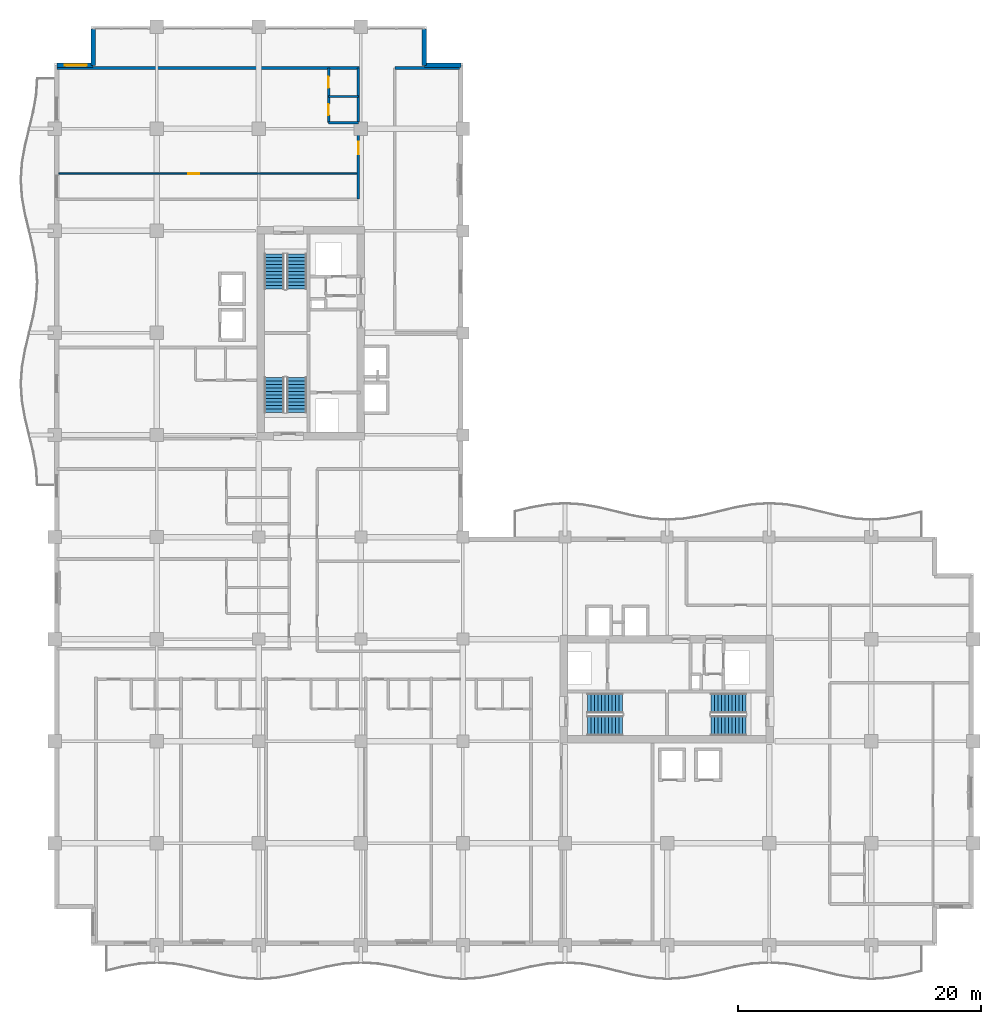
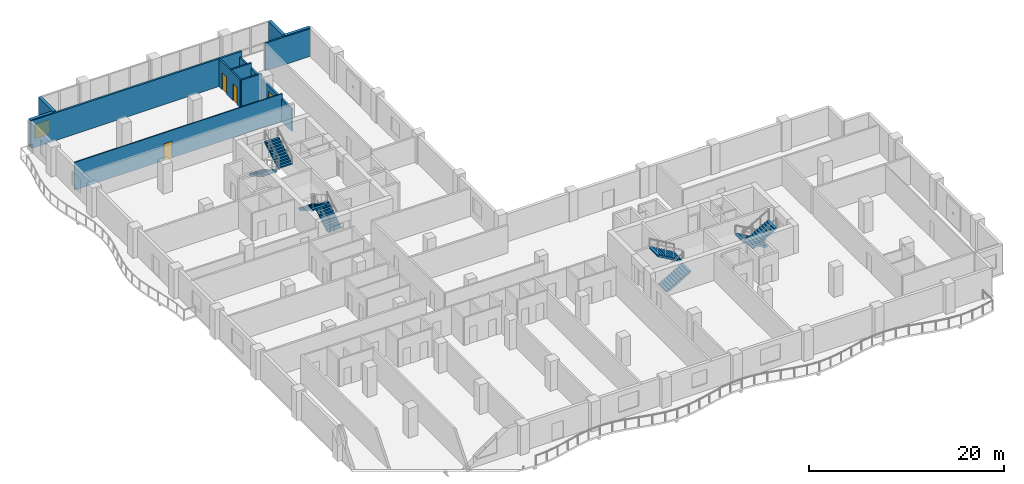
# One storey, part 13 of 19: 11 walls, 8 stair flights, 4 doors, 1 window, 5 openings, 4 elements without a shape of their own.
"""IFC4 building model written with IfcOpenShell, lengths in metres."""

import ifcopenshell
import ifcopenshell.guid

model = None  # the IFC model being written
_history = None  # IfcOwnerHistory: only IFC2X3 demands one
_inside = {}  # id of a spatial element -> (the spatial element, [elements in it])
_under = {}  # id of a project, library or spatial element -> (it, [spatial elements below it])
_declared = {}  # id of a project -> (the project, [libraries it declares])
_typed = {}  # id of a type object -> (the type object, [elements of that type])
_made_of = {}  # id of a material, layer set ... -> (it, [elements and type objects made of it])


def new_model(schema):
    """Start an empty IFC model of exactly this schema.

    Asked for "IFC4X3", IfcOpenShell would pick the latest addendum, in which some entities
    have other attributes; the version numbers below select the first issue.
    IFC2X3 requires an IfcOwnerHistory on every rooted entity: one is made here for all.
    """
    global model, _history
    if schema == "IFC4X3":
        model = ifcopenshell.file(schema_version=(4, 3, 0, 0))
    else:
        model = ifcopenshell.file(schema=schema)
    _inside.clear()
    _under.clear()
    _declared.clear()
    _typed.clear()
    _made_of.clear()
    _history = None
    if model.schema == "IFC2X3":
        org = make("IfcOrganization", Name="unknown")
        user = make(
            "IfcPersonAndOrganization",
            ThePerson=make("IfcPerson", FamilyName="unknown"),
            TheOrganization=org,
        )
        app = make(
            "IfcApplication",
            ApplicationDeveloper=org,
            Version="unknown",
            ApplicationFullName="unknown",
            ApplicationIdentifier="unknown",
        )
        _history = make(
            "IfcOwnerHistory",
            OwningUser=user,
            OwningApplication=app,
            ChangeAction="ADDED",
            CreationDate=0,
        )
    return model


def make(cls, **values):
    """One entity of the class cls with the attributes given. An attribute that is None is left unset."""
    return model.create_entity(
        cls, **{name: value for name, value in values.items() if value is not None}
    )


def rooted(cls, **values):
    """An entity with a GlobalId (a new one), such as an element, a storey or a relation."""
    return make(cls, GlobalId=ifcopenshell.guid.new(), OwnerHistory=_history, **values)


def si_unit(unit_type, name, prefix=None):
    """IfcSIUnit, for example si_unit("LENGTHUNIT", "METRE", prefix="MILLI")."""
    return make("IfcSIUnit", UnitType=unit_type, Prefix=prefix, Name=name)


def assignment(units):
    """IfcUnitAssignment: the units of a project."""
    return None if units is None else make("IfcUnitAssignment", Units=units)


def point(xyz):
    """IfcCartesianPoint."""
    return None if xyz is None else make("IfcCartesianPoint", Coordinates=xyz)


def direction(xyz):
    """IfcDirection."""
    return None if xyz is None else make("IfcDirection", DirectionRatios=xyz)


def frame(location, z_axis=None, x_axis=None):
    """IfcAxis2Placement3D, a coordinate frame: its origin and axes. An axis left out is left unset."""
    return make(
        "IfcAxis2Placement3D",
        Location=point(location),
        Axis=direction(z_axis),
        RefDirection=direction(x_axis),
    )


def frame_2d(location, x_axis=None):
    """IfcAxis2Placement2D, a coordinate frame in the plane: its origin and x axis."""
    return make(
        "IfcAxis2Placement2D", Location=point(location), RefDirection=direction(x_axis)
    )


def origin():
    """The frame at (0, 0, 0) with its axes left unset."""
    return frame((0.0, 0.0, 0.0))


def place(relative_to, where):
    """IfcLocalPlacement: puts the frame where relative to a parent placement (None: the world)."""
    return make(
        "IfcLocalPlacement", PlacementRelTo=relative_to, RelativePlacement=where
    )


def context(
    kind, dimensions, precision=None, world=None, true_north=None, identifier=None
):
    """IfcGeometricRepresentationContext, for example the 3D "Model" context."""
    return make(
        "IfcGeometricRepresentationContext",
        ContextIdentifier=identifier,
        ContextType=kind,
        CoordinateSpaceDimension=dimensions,
        Precision=precision,
        WorldCoordinateSystem=world,
        TrueNorth=true_north,
    )


def subcontext(parent, identifier, kind, view, scale=None):
    """IfcGeometricRepresentationSubContext, for example "Body" below "Model"."""
    return make(
        "IfcGeometricRepresentationSubContext",
        ContextIdentifier=identifier,
        ContextType=kind,
        ParentContext=parent,
        TargetScale=scale,
        TargetView=view,
    )


def project(units=None, contexts=None):
    """IfcProject with its units and contexts."""
    return rooted(
        "IfcProject",
        Name="project",
        RepresentationContexts=contexts,
        UnitsInContext=assignment(units),
    )


def spatial(cls, under=None, at=None, **own):
    """A site, building, storey or space (cls), placed at a placement, below another one or the project."""
    s = rooted(cls, ObjectPlacement=at, **own)
    if under is not None:
        _under.setdefault(under.id(), (under, []))[1].append(s)
    return s


def polyline(points):
    """IfcPolyline through the points."""
    return make("IfcPolyline", Points=[point(p) for p in points])


def profile(cls, at=None, kind="AREA", **sizes):
    """A parametric profile (cls). Its sizes go by their IFC names, for example OverallWidth=200.0."""
    return make(cls, ProfileType=kind, Position=at, **sizes)


def rectangle(**sizes):
    """IfcRectangleProfileDef."""
    return profile("IfcRectangleProfileDef", **sizes)


def outline(outer, holes=None, kind="AREA"):
    """IfcArbitraryClosedProfileDef: a profile drawn as a closed curve; with holes, ...WithVoids."""
    if holes is None:
        return make("IfcArbitraryClosedProfileDef", ProfileType=kind, OuterCurve=outer)
    return make(
        "IfcArbitraryProfileDefWithVoids",
        ProfileType=kind,
        OuterCurve=outer,
        InnerCurves=holes,
    )


def extrude(swept, where, along, depth):
    """IfcExtrudedAreaSolid: the profile swept, set in the frame where, extruded along a direction by depth."""
    return make(
        "IfcExtrudedAreaSolid",
        SweptArea=swept,
        Position=where,
        ExtrudedDirection=direction(along),
        Depth=depth,
    )


def shape(context_of_items, identifier, shape_type, items):
    """IfcShapeRepresentation: the items that make up one representation, for example the "Body"."""
    return make(
        "IfcShapeRepresentation",
        ContextOfItems=context_of_items,
        RepresentationIdentifier=identifier,
        RepresentationType=shape_type,
        Items=items,
    )


def material(Name=None, Category=None):
    """IfcMaterial."""
    return make("IfcMaterial", Name=Name, Category=Category)


def layer(
    of_material, thickness, ventilated=None, Name=None, Category=None, Priority=None
):
    """IfcMaterialLayer: one layer of a wall or slab, of a material (None: an air gap)."""
    return make(
        "IfcMaterialLayer",
        Material=of_material,
        LayerThickness=thickness,
        IsVentilated=ventilated,
        Name=Name,
        Category=Category,
        Priority=Priority,
    )


def layer_set(layers, Name=None):
    """IfcMaterialLayerSet."""
    return make("IfcMaterialLayerSet", MaterialLayers=layers, LayerSetName=Name)


def made_of(thing, what):
    """Note that an element or type object is made of a material, layer set ...; save() writes the relation."""
    if what is not None:
        _made_of.setdefault(what.id(), (what, []))[1].append(thing)
    return thing


def type_object(cls, material=None, **own):
    """A type object (cls), such as IfcWallType, which elements share."""
    return made_of(rooted(cls, **own), material)


def element(
    cls,
    number,
    at=None,
    inside=None,
    cuts=None,
    type_object=None,
    material=None,
    context=None,
    identifier="Body",
    shape_type=None,
    held_by="IfcProductDefinitionShape",
    body=None,
    shapes=None,
    **own,
):
    """One element of the class cls, such as IfcWall. Its Tag is "e" and its number.

    at: its placement. inside: the storey or other place that contains it. cuts: it is an
    opening in that element (IfcRelVoidsElement). A single representation is given by context,
    identifier, shape_type and body (its items); several are given by shapes. held_by: the class
    of the entity that holds the representations. save() writes the other relations.
    """
    e = rooted(cls, Tag="e%d" % number, ObjectPlacement=at, **own)
    if body is not None:
        shapes = [shape(context, identifier, shape_type, body)]
    if shapes is not None:
        e.Representation = make(held_by, Representations=shapes)
    if inside is not None:
        _inside.setdefault(inside.id(), (inside, []))[1].append(e)
    if cuts is not None:
        rooted(
            "IfcRelVoidsElement", RelatingBuildingElement=cuts, RelatedOpeningElement=e
        )
    if type_object is not None:
        _typed.setdefault(type_object.id(), (type_object, []))[1].append(e)
    return made_of(e, material)


def fill(opening, filler):
    """IfcRelFillsElement: the door or window that sits in an opening."""
    return rooted(
        "IfcRelFillsElement",
        RelatingOpeningElement=opening,
        RelatedBuildingElement=filler,
    )


def aggregate(whole, parts):
    """IfcRelAggregates: a whole, such as a stair, and the parts it consists of."""
    return rooted("IfcRelAggregates", RelatingObject=whole, RelatedObjects=parts)


def save(model, path):
    """Write the relations noted so far, then the file.

    IfcRelAggregates (storeys below a building ...), IfcRelContainedInSpatialStructure (elements
    in a storey), IfcRelDefinesByType, IfcRelAssociatesMaterial and IfcRelDeclares: one each for
    every whole, place, type object, material and project.
    """
    for whole, parts in _under.values():
        aggregate(whole, parts)
    for where, things in _inside.values():
        rooted(
            "IfcRelContainedInSpatialStructure",
            RelatedElements=things,
            RelatingStructure=where,
        )
    for kind, things in _typed.values():
        rooted("IfcRelDefinesByType", RelatedObjects=things, RelatingType=kind)
    for what, things in _made_of.values():
        rooted("IfcRelAssociatesMaterial", RelatedObjects=things, RelatingMaterial=what)
    for by, libraries in _declared.values():
        rooted("IfcRelDeclares", RelatingContext=by, RelatedDefinitions=libraries)
    model.write(path)


model = new_model("IFC4")

# Units and contexts
model_context = context("Model", 3, precision=1e-05, world=origin(), true_north=direction((0.0, 1.0)))
body_context = subcontext(model_context, "Body", "Model", "MODEL_VIEW")
ifc_project = project(units=[si_unit("LENGTHUNIT", "METRE"), si_unit("AREAUNIT", "SQUARE_METRE"), si_unit("VOLUMEUNIT", "CUBIC_METRE"), si_unit("PLANEANGLEUNIT", "RADIAN"), si_unit("MASSUNIT", "GRAM", prefix="KILO")], contexts=[model_context])

# Site, building, storey
site_placement = place(None, origin())
site = spatial("IfcSite", under=ifc_project, at=site_placement, CompositionType="ELEMENT")
building_placement = place(site_placement, origin())
building = spatial("IfcBuilding", under=site, at=building_placement, Name="Koriwani Terraces Tower", CompositionType="ELEMENT")
storey_placement = place(building_placement, frame((0.0, 0.0, 190.199951171875)))
storey = spatial("IfcBuildingStorey", under=building, at=storey_placement, Name="L46", CompositionType="ELEMENT", Elevation=190.199951171875)

# Wall, opening, door
ifc_material_1 = material(Name="Autoclaved Cellular Concrete Blockwork", Category="masonry")
ifc_layer_1 = layer(ifc_material_1, 0.199951171875, Name="Autoclaved Cellular Concrete Blockwork")
ifc_layer_set_1 = layer_set([ifc_layer_1], Name="Autoclaved Cellular Concrete Blockwork")
wall_type_1 = type_object("IfcWallType", Name="WALL_CORRIDOR_200", PredefinedType="PARTITIONING", material=ifc_layer_set_1)
wall_1_placement = place(storey_placement, frame((25.0, 61.39990234375, 0.0), z_axis=(0.0, 0.0, 1.0), x_axis=(0.0, 1.0, 0.0)))
wall_1 = element("IfcWall", 1, at=wall_1_placement, inside=storey, type_object=wall_type_1, Name="L46 Interior Wall WRCOR-L46-NE-0", PredefinedType="PARTITIONING", context=body_context, shape_type="SweptSolid", body=[
    extrude(rectangle(XDim=10.800048828125, YDim=0.199951171875, at=frame_2d((5.39990234375, 0.0))), origin(), (0.0, 0.0, 1.0), 2.820068359375),
])
opening_1_placement = place(wall_1_placement, frame((3.719970703125, 0.0, 0.0)))
opening_1 = element("IfcOpeningElement", 2, at=opening_1_placement, cuts=wall_1, Name="Opening D-05", PredefinedType="OPENING", context=body_context, shape_type="SweptSolid", body=[
    extrude(rectangle(XDim=1.0, YDim=2.14990234375, at=frame_2d((0.5, 1.074951171875))), frame((0.0, 0.10986328125, 0.0), z_axis=(0.0, -1.0, 0.0), x_axis=(1.0, 0.0, 0.0)), (0.0, 0.0, 1.0), 0.219970703125),
])
ifc_material_2 = material(Name="Architectural Oak Fire Door", Category="wood")
door_type_1 = type_object("IfcDoorType", Name="DOOR_SUITE_ENTRY_1000X2150", OperationType="NOTDEFINED", PredefinedType="DOOR", material=ifc_material_2)
door_1_placement = place(opening_1_placement, origin())
door_1 = element("IfcDoor", 3, at=door_1_placement, inside=storey, type_object=door_type_1, Name="Apartment 46NE1 Entrance Door", OperationType="SINGLE_SWING_LEFT", OverallHeight=2.14990234375, OverallWidth=1.0, PredefinedType="DOOR", context=body_context, shape_type="SweptSolid", body=[
    extrude(rectangle(XDim=1.0, YDim=2.14990234375, at=frame_2d((0.5, 1.074951171875))), frame((0.0, 0.02490234375, 0.0), z_axis=(0.0, -1.0, 0.0), x_axis=(1.0, 0.0, 0.0)), (0.0, 0.0, 1.0), 0.050048828125),
])
fill(opening_1, door_1)

# Walls
ifc_layer_2 = layer(ifc_material_1, 0.219970703125, Name="Autoclaved Cellular Concrete Blockwork")
ifc_layer_set_2 = layer_set([ifc_layer_2], Name="Autoclaved Cellular Concrete Blockwork")
wall_type_2 = type_object("IfcWallType", Name="WALL_DEMISING_220", PredefinedType="PARTITIONING", material=ifc_layer_set_2)
wall_2_placement = place(storey_placement, frame((0.199951171875, 72.199951171875, 0.0), z_axis=(0.0, 0.0, 1.0), x_axis=(1.0, 0.0, 0.0)))
element("IfcWall", 4, at=wall_2_placement, inside=storey, type_object=wall_type_2, Name="L46 Interior Wall WRDEME-L46-NE", PredefinedType="PARTITIONING", context=body_context, shape_type="SweptSolid", body=[
    extrude(rectangle(XDim=24.97998046875, YDim=0.219970703125, at=frame_2d((12.489990234375, 0.0))), origin(), (0.0, 0.0, 1.0), 3.469970703125),
])
wall_3_placement = place(storey_placement, frame((28.0, 72.199951171875, 0.0), z_axis=(0.0, 0.0, 1.0), x_axis=(1.0, 0.0, 0.0)))
element("IfcWall", 5, at=wall_3_placement, inside=storey, type_object=wall_type_2, Name="L46 Interior Wall WNEC-N-L46", PredefinedType="PARTITIONING", context=body_context, shape_type="SweptSolid", body=[
    extrude(rectangle(XDim=5.300048828125, YDim=0.219970703125, at=frame_2d((2.64990234375, 0.0))), origin(), (0.0, 0.0, 1.0), 3.469970703125),
])

# Wall, opening, window
ifc_material_3 = material(Name="Concrete C50/60", Category="concrete")
ifc_layer_3 = layer(ifc_material_3, 0.35009765625, Name="Concrete C50/60")
ifc_layer_set_3 = layer_set([ifc_layer_3], Name="Concrete C50/60")
wall_type_3 = type_object("IfcWallType", Name="WALL_EXT_BRUTALIST_350", PredefinedType="STANDARD", material=ifc_layer_set_3)
wall_4_placement = place(storey_placement, frame((0.175048828125, 72.425048828125, 0.0), z_axis=(0.0, 0.0, 1.0), x_axis=(1.0, 0.0, 0.0)))
wall_4 = element("IfcWall", 6, at=wall_4_placement, inside=storey, type_object=wall_type_3, Name="L46 Fair-Faced Brutalist Exterior Wall (N3)", PredefinedType="STANDARD", context=body_context, shape_type="SweptSolid", body=[
    extrude(rectangle(XDim=3.0, YDim=0.35009765625, at=frame_2d((1.5, 0.0))), origin(), (0.0, 0.0, 1.0), 3.469970703125),
])
opening_2_placement = place(wall_4_placement, frame((0.677490234375, 0.0, 0.85009765625)))
opening_2 = element("IfcOpeningElement", 7, at=opening_2_placement, cuts=wall_4, Name="Opening W-04", PredefinedType="OPENING", context=body_context, shape_type="SweptSolid", body=[
    extrude(rectangle(XDim=1.800048828125, YDim=1.800048828125, at=frame_2d((0.89990234375, 0.89990234375))), frame((0.0, 0.18505859375, 0.0), z_axis=(0.0, -1.0, 0.0), x_axis=(1.0, 0.0, 0.0)), (0.0, 0.0, 1.0), 0.3701171875),
])
ifc_material_4 = material(Name="Tempered Laminated Low-E Glass", Category="glass")
window_type = type_object("IfcWindowType", Name="WIN_RES_BED_1800X1800", PartitioningType="DOUBLE_PANEL_VERTICAL", PredefinedType="WINDOW", material=ifc_material_4)
window_placement = place(opening_2_placement, origin())
window = element("IfcWindow", 8, at=window_placement, inside=storey, type_object=window_type, Name="L46 Exterior Window (N3-R57)", OverallHeight=1.800048828125, OverallWidth=1.800048828125, PartitioningType="SINGLE_PANEL", PredefinedType="WINDOW", context=body_context, shape_type="SweptSolid", body=[
    extrude(rectangle(XDim=1.800048828125, YDim=1.800048828125, at=frame_2d((0.89990234375, 0.89990234375))), frame((0.0, 0.030029296875, 0.0), z_axis=(0.0, -1.0, 0.0), x_axis=(1.0, 0.0, 0.0)), (0.0, 0.0, 1.0), 0.06005859375),
])
fill(opening_2, window)

# Walls
for number, where, z_axis, x_axis, name in (
    (9, (3.175048828125, 72.425048828125, 0.0), (0.0, 0.0, 1.0), (0.0, 1.0, 0.0), "L46 Fair-Faced Brutalist Exterior Wall (N4)"),
    (10, (30.425048828125, 75.425048828125, 0.0), (0.0, 0.0, 1.0), (0.0, -1.0, 0.0), "L46 Fair-Faced Brutalist Exterior Wall (N6)"),
    (11, (30.425048828125, 72.425048828125, 0.0), (0.0, 0.0, 1.0), (1.0, 0.0, 0.0), "L46 Fair-Faced Brutalist Exterior Wall (N7)"),
):
    element("IfcWall", number, at=place(storey_placement, frame(where, z_axis=z_axis, x_axis=x_axis)), inside=storey, type_object=wall_type_3, Name=name, PredefinedType="STANDARD", context=body_context, shape_type="SweptSolid", body=[
        extrude(rectangle(XDim=3.0, YDim=0.35009765625, at=frame_2d((1.5, 0.0))), origin(), (0.0, 0.0, 1.0), 3.469970703125),
    ])

# Wall, opening, door
ifc_material_5 = material(Name="Fire-Rated Acoustic Gypsum Partition", Category="masonry")
ifc_layer_4 = layer(ifc_material_5, 0.125, Name="Fire-Rated Acoustic Gypsum Partition")
ifc_layer_set_4 = layer_set([ifc_layer_4], Name="Fire-Rated Acoustic Gypsum Partition")
wall_type_4 = type_object("IfcWallType", Name="WALL_INT_125", PredefinedType="PARTITIONING", material=ifc_layer_set_4)
wall_5_placement = place(storey_placement, frame((0.35009765625, 63.5, 0.0), z_axis=(0.0, 0.0, 1.0), x_axis=(1.0, 0.0, 0.0)))
wall_5 = element("IfcWall", 12, at=wall_5_placement, inside=storey, type_object=wall_type_4, Name="L46 Interior Wall WRBED1-L46-NE-0", PredefinedType="PARTITIONING", context=body_context, shape_type="SweptSolid", body=[
    extrude(rectangle(XDim=24.64990234375, YDim=0.125, at=frame_2d((12.324951171875, 0.0))), origin(), (0.0, 0.0, 1.0), 3.469970703125),
])
opening_3_placement = place(wall_5_placement, frame((10.639892578125, 0.0, 0.0)))
opening_3 = element("IfcOpeningElement", 13, at=opening_3_placement, cuts=wall_5, Name="Opening D-06", PredefinedType="OPENING", context=body_context, shape_type="SweptSolid", body=[
    extrude(rectangle(XDim=0.919921875, YDim=2.10009765625, at=frame_2d((0.4599609375, 1.050048828125))), frame((0.0, 0.072509765625, 0.0), z_axis=(0.0, -1.0, 0.0), x_axis=(1.0, 0.0, 0.0)), (0.0, 0.0, 1.0), 0.14501953125),
])
door_type_2 = type_object("IfcDoorType", Name="DOOR_ROOM_INT_920X2100", OperationType="NOTDEFINED", PredefinedType="DOOR", material=ifc_material_2)
door_2_placement = place(opening_3_placement, origin())
door_2 = element("IfcDoor", 14, at=door_2_placement, inside=storey, type_object=door_type_2, Name="Apartment 46NE1 Master Bedroom Door", OperationType="SINGLE_SWING_RIGHT", OverallHeight=2.10009765625, OverallWidth=0.919921875, PredefinedType="DOOR", context=body_context, shape_type="SweptSolid", body=[
    extrude(rectangle(XDim=0.919921875, YDim=2.10009765625, at=frame_2d((0.4599609375, 1.050048828125))), frame((0.0, 0.02490234375, 0.0), z_axis=(0.0, -1.0, 0.0), x_axis=(1.0, 0.0, 0.0)), (0.0, 0.0, 1.0), 0.050048828125),
])
fill(opening_3, door_2)

# Wall, openings, doors
ifc_layer_5 = layer(ifc_material_5, 0.179931640625, Name="Fire-Rated Acoustic Gypsum Partition")
ifc_layer_set_5 = layer_set([ifc_layer_5], Name="Fire-Rated Acoustic Gypsum Partition")
wall_type_5 = type_object("IfcWallType", Name="WALL_PLUMBING_180", PredefinedType="PLUMBINGWALL", material=ifc_layer_set_5)
wall_6_placement = place(storey_placement, frame((22.550048828125, 67.699951171875, 0.0), z_axis=(0.0, 0.0, 1.0), x_axis=(0.0, 1.0, 0.0)))
wall_6 = element("IfcWall", 15, at=wall_6_placement, inside=storey, type_object=wall_type_5, Name="L46 Interior Wall WRSVC-L46-NE-0", PredefinedType="PLUMBINGWALL", context=body_context, shape_type="SweptSolid", body=[
    extrude(rectangle(XDim=4.5, YDim=0.179931640625, at=frame_2d((2.25, 0.0))), origin(), (0.0, 0.0, 1.0), 3.469970703125),
])
opening_4_placement = place(wall_6_placement, frame((0.6298828125, 0.0, 0.0)))
opening_4 = element("IfcOpeningElement", 16, at=opening_4_placement, cuts=wall_6, Name="Opening D-07", PredefinedType="OPENING", context=body_context, shape_type="SweptSolid", body=[
    extrude(rectangle(XDim=0.89990234375, YDim=2.10009765625, at=frame_2d((0.449951171875, 1.050048828125))), frame((0.0, 0.10009765625, 0.0), z_axis=(0.0, -1.0, 0.0), x_axis=(1.0, 0.0, 0.0)), (0.0, 0.0, 1.0), 0.199951171875),
])
opening_5_placement = place(wall_6_placement, frame((2.8701171875, 0.0, 0.0)))
opening_5 = element("IfcOpeningElement", 17, at=opening_5_placement, cuts=wall_6, Name="Opening D-06", PredefinedType="OPENING", context=body_context, shape_type="SweptSolid", body=[
    extrude(rectangle(XDim=0.919921875, YDim=2.10009765625, at=frame_2d((0.4599609375, 1.050048828125))), frame((0.0, 0.10009765625, 0.0), z_axis=(0.0, -1.0, 0.0), x_axis=(1.0, 0.0, 0.0)), (0.0, 0.0, 1.0), 0.199951171875),
])
door_type_3 = type_object("IfcDoorType", Name="DOOR_BATH_INT_900X2100", OperationType="NOTDEFINED", PredefinedType="DOOR", material=ifc_material_2)
door_3_placement = place(opening_4_placement, origin())
door_3 = element("IfcDoor", 18, at=door_3_placement, inside=storey, type_object=door_type_3, Name="Apartment 46NE1 Bathroom Door", OperationType="SINGLE_SWING_RIGHT", OverallHeight=2.10009765625, OverallWidth=0.89990234375, PredefinedType="DOOR", context=body_context, shape_type="SweptSolid", body=[
    extrude(rectangle(XDim=0.89990234375, YDim=2.10009765625, at=frame_2d((0.449951171875, 1.050048828125))), frame((0.0, 0.02490234375, 0.0), z_axis=(0.0, -1.0, 0.0), x_axis=(1.0, 0.0, 0.0)), (0.0, 0.0, 1.0), 0.050048828125),
])
fill(opening_4, door_3)
door_4_placement = place(opening_5_placement, origin())
door_4 = element("IfcDoor", 19, at=door_4_placement, inside=storey, type_object=door_type_2, Name="Apartment 46NE1 Kitchen Door", OperationType="SINGLE_SWING_LEFT", OverallHeight=2.10009765625, OverallWidth=0.919921875, PredefinedType="DOOR", context=body_context, shape_type="SweptSolid", body=[
    extrude(rectangle(XDim=0.919921875, YDim=2.10009765625, at=frame_2d((0.4599609375, 1.050048828125))), frame((0.0, 0.02490234375, 0.0), z_axis=(0.0, -1.0, 0.0), x_axis=(1.0, 0.0, 0.0)), (0.0, 0.0, 1.0), 0.050048828125),
])
fill(opening_5, door_4)

# Walls
for number, where, z_axis, x_axis, name in (
    (20, (22.550048828125, 67.699951171875, 0.0), (0.0, 0.0, 1.0), (1.0, 0.0, 0.0), "L46 Interior Wall WRSVCS-L46-NE-0"),
    (21, (22.550048828125, 69.860107421875, 0.0), (0.0, 0.0, 1.0), (1.0, 0.0, 0.0), "L46 Interior Wall WRSVCM-L46-NE-0"),
):
    element("IfcWall", number, at=place(storey_placement, frame(where, z_axis=z_axis, x_axis=x_axis)), inside=storey, type_object=wall_type_5, Name=name, PredefinedType="PLUMBINGWALL", context=body_context, shape_type="SweptSolid", body=[
        extrude(rectangle(XDim=2.449951171875, YDim=0.179931640625, at=frame_2d((1.22509765625, 0.0))), origin(), (0.0, 0.0, 1.0), 3.469970703125),
    ])

# Stair, stair flights
ifc_material_6 = material(Name="Concrete C40/50", Category="concrete")
stair_type = type_object("IfcStairType", Name="STAIR_CORE_DOGLEG_1650", PredefinedType="TWO_STRAIGHT_RUN_STAIR", material=ifc_material_6)
stair_1_placement = place(storey_placement, origin())
stair_1 = element("IfcStair", 22, at=stair_1_placement, inside=storey, type_object=stair_type, Name="L46 West Core Exit Stair 1", PredefinedType="HALF_TURN_STAIR")
stair_flight_type = type_object("IfcStairFlightType", Name="STAIR_FLIGHT_RC_1650", PredefinedType="STRAIGHT", material=ifc_material_6)
stair_flight_1_placement = place(storey_placement, frame((19.925048828125, 43.85009765625, 0.0), z_axis=(0.0, 0.0, 1.0), x_axis=(0.0, 1.0, 0.0)))
stair_flight_1 = element("IfcStairFlight", 23, at=stair_flight_1_placement, type_object=stair_flight_type, Name="ST-W1 flight 1", NumberOfRisers=11, NumberOfTreads=10, PredefinedType="STRAIGHT", RiserHeight=0.168181818, TreadLength=0.29, context=body_context, shape_type="SweptSolid", body=[
    extrude(outline(polyline([(0.0, 0.0), (0.0, 0.168212890625), (0.2900390625, 0.168212890625), (0.2900390625, 0.33642578125), (0.580078125, 0.33642578125), (0.580078125, 0.504638671875), (0.8701171875, 0.504638671875), (0.8701171875, 0.672607421875), (1.159912109375, 0.672607421875), (1.159912109375, 0.8408203125), (1.449951171875, 0.8408203125), (1.449951171875, 1.009033203125), (1.739990234375, 1.009033203125), (1.739990234375, 1.17724609375), (2.030029296875, 1.17724609375), (2.030029296875, 1.345458984375), (2.320068359375, 1.345458984375), (2.320068359375, 1.513671875), (2.610107421875, 1.513671875), (2.610107421875, 1.681884765625), (2.89990234375, 1.681884765625), (2.89990234375, 1.85009765625), (2.89990234375, 1.473876953125), (0.358642578125, 0.0), (0.0, 0.0)])), frame((0.0, 0.824951171875, 0.0), z_axis=(0.0, -1.0, 0.0), x_axis=(1.0, 0.0, 0.0)), (0.0, 0.0, 1.0), 1.64990234375),
])
stair_flight_2_placement = place(storey_placement, frame((18.074951171875, 46.75, 1.85009765625), z_axis=(0.0, 0.0, 1.0), x_axis=(0.0, -1.0, 0.0)))
stair_flight_2 = element("IfcStairFlight", 24, at=stair_flight_2_placement, type_object=stair_flight_type, Name="ST-W1 flight 2", NumberOfRisers=11, NumberOfTreads=10, PredefinedType="STRAIGHT", RiserHeight=0.168181818, TreadLength=0.29, context=body_context, shape_type="SweptSolid", body=[
    extrude(outline(polyline([(0.0, 0.0), (0.0, 0.168212890625), (0.2900390625, 0.168212890625), (0.2900390625, 0.33642578125), (0.580078125, 0.33642578125), (0.580078125, 0.504638671875), (0.8701171875, 0.504638671875), (0.8701171875, 0.672607421875), (1.159912109375, 0.672607421875), (1.159912109375, 0.8408203125), (1.449951171875, 0.8408203125), (1.449951171875, 1.009033203125), (1.739990234375, 1.009033203125), (1.739990234375, 1.17724609375), (2.030029296875, 1.17724609375), (2.030029296875, 1.345458984375), (2.320068359375, 1.345458984375), (2.320068359375, 1.513671875), (2.610107421875, 1.513671875), (2.610107421875, 1.681884765625), (2.89990234375, 1.681884765625), (2.89990234375, 1.85009765625), (2.89990234375, 1.473876953125), (0.358642578125, 0.0), (0.0, 0.0)])), frame((0.0, 0.824951171875, 0.0), z_axis=(0.0, -1.0, 0.0), x_axis=(1.0, 0.0, 0.0)), (0.0, 0.0, 1.0), 1.64990234375),
])
aggregate(stair_1, [stair_flight_1, stair_flight_2])

stair_2_placement = place(storey_placement, origin())
stair_2 = element("IfcStair", 25, at=stair_2_placement, inside=storey, type_object=stair_type, Name="L46 West Core Exit Stair 2", PredefinedType="HALF_TURN_STAIR")
stair_flight_3_placement = place(storey_placement, frame((18.074951171875, 56.89990234375, 0.0), z_axis=(0.0, 0.0, 1.0), x_axis=(0.0, -1.0, 0.0)))
stair_flight_3 = element("IfcStairFlight", 26, at=stair_flight_3_placement, type_object=stair_flight_type, Name="ST-W2 flight 1", NumberOfRisers=11, NumberOfTreads=10, PredefinedType="STRAIGHT", RiserHeight=0.168181818, TreadLength=0.29, context=body_context, shape_type="SweptSolid", body=[
    extrude(outline(polyline([(0.0, 0.0), (0.0, 0.168212890625), (0.2900390625, 0.168212890625), (0.2900390625, 0.33642578125), (0.580078125, 0.33642578125), (0.580078125, 0.504638671875), (0.8701171875, 0.504638671875), (0.8701171875, 0.672607421875), (1.159912109375, 0.672607421875), (1.159912109375, 0.8408203125), (1.449951171875, 0.8408203125), (1.449951171875, 1.009033203125), (1.739990234375, 1.009033203125), (1.739990234375, 1.17724609375), (2.030029296875, 1.17724609375), (2.030029296875, 1.345458984375), (2.320068359375, 1.345458984375), (2.320068359375, 1.513671875), (2.610107421875, 1.513671875), (2.610107421875, 1.681884765625), (2.89990234375, 1.681884765625), (2.89990234375, 1.85009765625), (2.89990234375, 1.473876953125), (0.358642578125, 0.0), (0.0, 0.0)])), frame((0.0, 0.824951171875, 0.0), z_axis=(0.0, -1.0, 0.0), x_axis=(1.0, 0.0, 0.0)), (0.0, 0.0, 1.0), 1.64990234375),
])
stair_flight_4_placement = place(storey_placement, frame((19.925048828125, 54.0, 1.85009765625), z_axis=(0.0, 0.0, 1.0), x_axis=(0.0, 1.0, 0.0)))
stair_flight_4 = element("IfcStairFlight", 27, at=stair_flight_4_placement, type_object=stair_flight_type, Name="ST-W2 flight 2", NumberOfRisers=11, NumberOfTreads=10, PredefinedType="STRAIGHT", RiserHeight=0.168181818, TreadLength=0.29, context=body_context, shape_type="SweptSolid", body=[
    extrude(outline(polyline([(0.0, 0.0), (0.0, 0.168212890625), (0.2900390625, 0.168212890625), (0.2900390625, 0.33642578125), (0.580078125, 0.33642578125), (0.580078125, 0.504638671875), (0.8701171875, 0.504638671875), (0.8701171875, 0.672607421875), (1.159912109375, 0.672607421875), (1.159912109375, 0.8408203125), (1.449951171875, 0.8408203125), (1.449951171875, 1.009033203125), (1.739990234375, 1.009033203125), (1.739990234375, 1.17724609375), (2.030029296875, 1.17724609375), (2.030029296875, 1.345458984375), (2.320068359375, 1.345458984375), (2.320068359375, 1.513671875), (2.610107421875, 1.513671875), (2.610107421875, 1.681884765625), (2.89990234375, 1.681884765625), (2.89990234375, 1.85009765625), (2.89990234375, 1.473876953125), (0.358642578125, 0.0), (0.0, 0.0)])), frame((0.0, 0.824951171875, 0.0), z_axis=(0.0, -1.0, 0.0), x_axis=(1.0, 0.0, 0.0)), (0.0, 0.0, 1.0), 1.64990234375),
])
aggregate(stair_2, [stair_flight_3, stair_flight_4])

stair_3_placement = place(storey_placement, origin())
stair_3 = element("IfcStair", 28, at=stair_3_placement, inside=storey, type_object=stair_type, Name="L46 East Core Exit Stair 1", PredefinedType="HALF_TURN_STAIR")
stair_flight_5_placement = place(storey_placement, frame((43.85009765625, 18.074951171875, 0.0), z_axis=(0.0, 0.0, 1.0), x_axis=(1.0, 0.0, 0.0)))
stair_flight_5 = element("IfcStairFlight", 29, at=stair_flight_5_placement, type_object=stair_flight_type, Name="ST-E1 flight 1", NumberOfRisers=11, NumberOfTreads=10, PredefinedType="STRAIGHT", RiserHeight=0.168181818, TreadLength=0.29, context=body_context, shape_type="SweptSolid", body=[
    extrude(outline(polyline([(0.0, 0.0), (0.0, 0.168212890625), (0.2900390625, 0.168212890625), (0.2900390625, 0.33642578125), (0.580078125, 0.33642578125), (0.580078125, 0.504638671875), (0.8701171875, 0.504638671875), (0.8701171875, 0.672607421875), (1.159912109375, 0.672607421875), (1.159912109375, 0.8408203125), (1.449951171875, 0.8408203125), (1.449951171875, 1.009033203125), (1.739990234375, 1.009033203125), (1.739990234375, 1.17724609375), (2.030029296875, 1.17724609375), (2.030029296875, 1.345458984375), (2.320068359375, 1.345458984375), (2.320068359375, 1.513671875), (2.610107421875, 1.513671875), (2.610107421875, 1.681884765625), (2.89990234375, 1.681884765625), (2.89990234375, 1.85009765625), (2.89990234375, 1.473876953125), (0.358642578125, 0.0), (0.0, 0.0)])), frame((0.0, 0.824951171875, 0.0), z_axis=(0.0, -1.0, 0.0), x_axis=(1.0, 0.0, 0.0)), (0.0, 0.0, 1.0), 1.64990234375),
])
stair_flight_6_placement = place(storey_placement, frame((46.75, 19.925048828125, 1.85009765625), z_axis=(0.0, 0.0, 1.0), x_axis=(-1.0, 0.0, 0.0)))
stair_flight_6 = element("IfcStairFlight", 30, at=stair_flight_6_placement, type_object=stair_flight_type, Name="ST-E1 flight 2", NumberOfRisers=11, NumberOfTreads=10, PredefinedType="STRAIGHT", RiserHeight=0.168181818, TreadLength=0.29, context=body_context, shape_type="SweptSolid", body=[
    extrude(outline(polyline([(0.0, 0.0), (0.0, 0.168212890625), (0.2900390625, 0.168212890625), (0.2900390625, 0.33642578125), (0.580078125, 0.33642578125), (0.580078125, 0.504638671875), (0.8701171875, 0.504638671875), (0.8701171875, 0.672607421875), (1.159912109375, 0.672607421875), (1.159912109375, 0.8408203125), (1.449951171875, 0.8408203125), (1.449951171875, 1.009033203125), (1.739990234375, 1.009033203125), (1.739990234375, 1.17724609375), (2.030029296875, 1.17724609375), (2.030029296875, 1.345458984375), (2.320068359375, 1.345458984375), (2.320068359375, 1.513671875), (2.610107421875, 1.513671875), (2.610107421875, 1.681884765625), (2.89990234375, 1.681884765625), (2.89990234375, 1.85009765625), (2.89990234375, 1.473876953125), (0.358642578125, 0.0), (0.0, 0.0)])), frame((0.0, 0.824951171875, 0.0), z_axis=(0.0, -1.0, 0.0), x_axis=(1.0, 0.0, 0.0)), (0.0, 0.0, 1.0), 1.64990234375),
])
aggregate(stair_3, [stair_flight_5, stair_flight_6])

stair_4_placement = place(storey_placement, origin())
stair_4 = element("IfcStair", 31, at=stair_4_placement, inside=storey, type_object=stair_type, Name="L46 East Core Exit Stair 2", PredefinedType="HALF_TURN_STAIR")
stair_flight_7_placement = place(storey_placement, frame((56.89990234375, 19.925048828125, 0.0), z_axis=(0.0, 0.0, 1.0), x_axis=(-1.0, 0.0, 0.0)))
stair_flight_7 = element("IfcStairFlight", 32, at=stair_flight_7_placement, type_object=stair_flight_type, Name="ST-E2 flight 1", NumberOfRisers=11, NumberOfTreads=10, PredefinedType="STRAIGHT", RiserHeight=0.168181818, TreadLength=0.29, context=body_context, shape_type="SweptSolid", body=[
    extrude(outline(polyline([(0.0, 0.0), (0.0, 0.168212890625), (0.2900390625, 0.168212890625), (0.2900390625, 0.33642578125), (0.580078125, 0.33642578125), (0.580078125, 0.504638671875), (0.8701171875, 0.504638671875), (0.8701171875, 0.672607421875), (1.159912109375, 0.672607421875), (1.159912109375, 0.8408203125), (1.449951171875, 0.8408203125), (1.449951171875, 1.009033203125), (1.739990234375, 1.009033203125), (1.739990234375, 1.17724609375), (2.030029296875, 1.17724609375), (2.030029296875, 1.345458984375), (2.320068359375, 1.345458984375), (2.320068359375, 1.513671875), (2.610107421875, 1.513671875), (2.610107421875, 1.681884765625), (2.89990234375, 1.681884765625), (2.89990234375, 1.85009765625), (2.89990234375, 1.473876953125), (0.358642578125, 0.0), (0.0, 0.0)])), frame((0.0, 0.824951171875, 0.0), z_axis=(0.0, -1.0, 0.0), x_axis=(1.0, 0.0, 0.0)), (0.0, 0.0, 1.0), 1.64990234375),
])
stair_flight_8_placement = place(storey_placement, frame((54.0, 18.074951171875, 1.85009765625), z_axis=(0.0, 0.0, 1.0), x_axis=(1.0, 0.0, 0.0)))
stair_flight_8 = element("IfcStairFlight", 33, at=stair_flight_8_placement, type_object=stair_flight_type, Name="ST-E2 flight 2", NumberOfRisers=11, NumberOfTreads=10, PredefinedType="STRAIGHT", RiserHeight=0.168181818, TreadLength=0.29, context=body_context, shape_type="SweptSolid", body=[
    extrude(outline(polyline([(0.0, 0.0), (0.0, 0.168212890625), (0.2900390625, 0.168212890625), (0.2900390625, 0.33642578125), (0.580078125, 0.33642578125), (0.580078125, 0.504638671875), (0.8701171875, 0.504638671875), (0.8701171875, 0.672607421875), (1.159912109375, 0.672607421875), (1.159912109375, 0.8408203125), (1.449951171875, 0.8408203125), (1.449951171875, 1.009033203125), (1.739990234375, 1.009033203125), (1.739990234375, 1.17724609375), (2.030029296875, 1.17724609375), (2.030029296875, 1.345458984375), (2.320068359375, 1.345458984375), (2.320068359375, 1.513671875), (2.610107421875, 1.513671875), (2.610107421875, 1.681884765625), (2.89990234375, 1.681884765625), (2.89990234375, 1.85009765625), (2.89990234375, 1.473876953125), (0.358642578125, 0.0), (0.0, 0.0)])), frame((0.0, 0.824951171875, 0.0), z_axis=(0.0, -1.0, 0.0), x_axis=(1.0, 0.0, 0.0)), (0.0, 0.0, 1.0), 1.64990234375),
])
aggregate(stair_4, [stair_flight_7, stair_flight_8])

save(model, "model.ifc")
